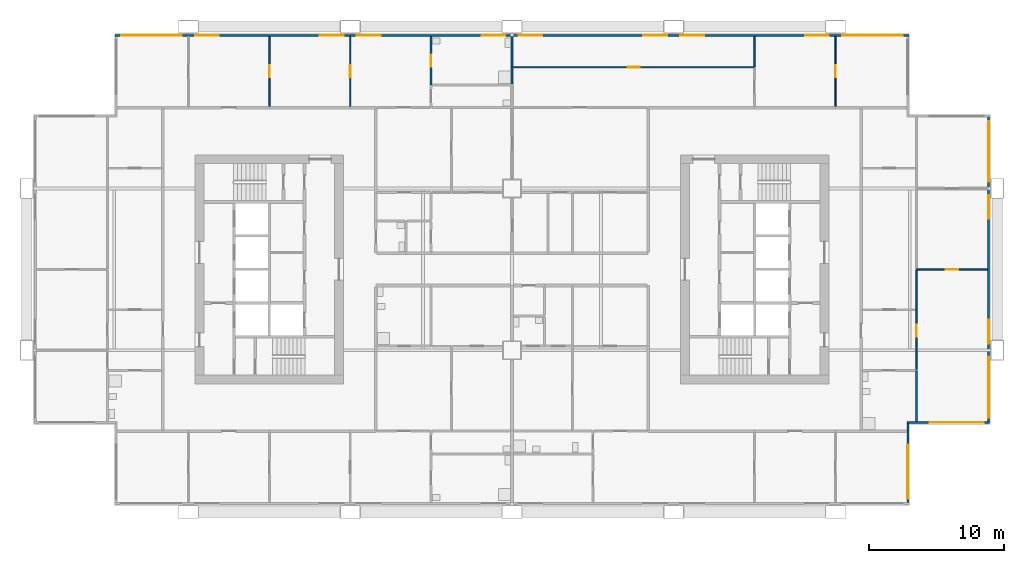
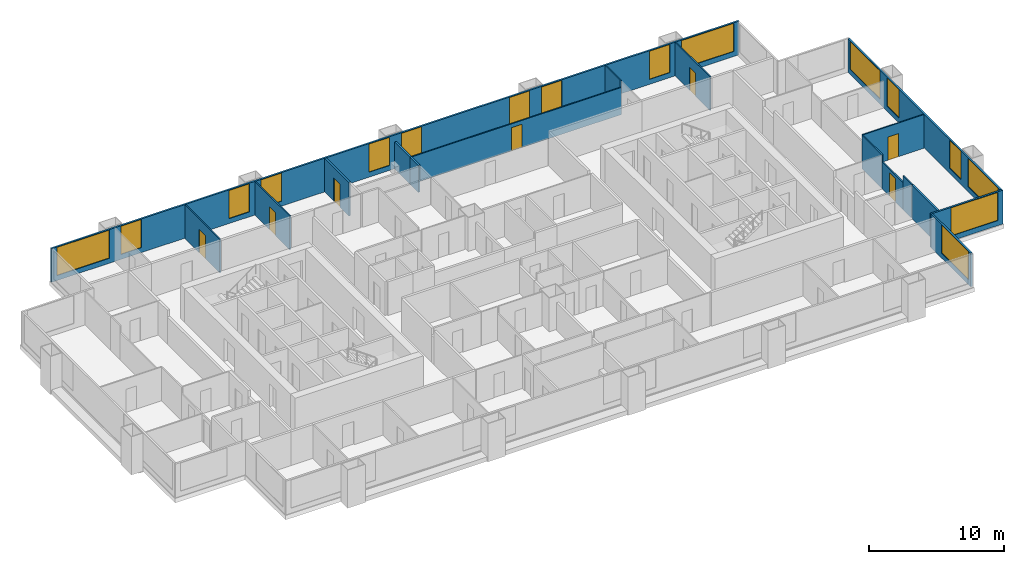
# One storey, part 8 of 11: 17 walls, 16 windows, 7 doors, 23 openings.
"""IFC4 building model written with IfcOpenShell, lengths in metres."""

from ifc_helpers import new_model, si_unit, direction, frame, frame_2d, origin, place, context, subcontext, project, spatial, rectangle, extrude, material, layer, layer_set, type_object, element, fill, save


model = new_model("IFC4")

# Units and contexts
model_context = context("Model", 3, precision=1e-05, world=origin(), true_north=direction((0.0, 1.0)))
body_context = subcontext(model_context, "Body", "Model", "MODEL_VIEW")
ifc_project = project(units=[si_unit("LENGTHUNIT", "METRE"), si_unit("AREAUNIT", "SQUARE_METRE"), si_unit("VOLUMEUNIT", "CUBIC_METRE"), si_unit("PLANEANGLEUNIT", "RADIAN"), si_unit("MASSUNIT", "GRAM", prefix="KILO")], contexts=[model_context])

# Site, building, storey
site_placement = place(None, origin())
site = spatial("IfcSite", under=ifc_project, at=site_placement, CompositionType="ELEMENT")
building_placement = place(site_placement, origin())
building = spatial("IfcBuilding", under=site, at=building_placement, Name="Kitamizu Gate Tower and Museum", CompositionType="ELEMENT")
storey_placement = place(building_placement, frame((0.0, 0.0, 100.050048828125)))
storey = spatial("IfcBuildingStorey", under=building, at=storey_placement, Name="L25", CompositionType="ELEMENT", Elevation=100.050048828125)

# Wall, opening, door
ifc_material_1 = material(Name="Gypsum board on galvanised stud")
ifc_layer_1 = layer(ifc_material_1, 0.10009765625)
ifc_layer_set_1 = layer_set([ifc_layer_1], Name="Gypsum board on galvanised stud")
wall_type_1 = type_object("IfcWallType", Name="Partition 100 NOT RATED", PredefinedType="PARTITIONING", material=ifc_layer_set_1)
wall_1_placement = place(storey_placement, frame((71.280029296875, 30.0, 0.0), z_axis=(0.0, 0.0, 1.0), x_axis=(-1.0, 0.0, 0.0)))
wall_1 = element("IfcWall", 1, at=wall_1_placement, inside=storey, type_object=wall_type_1, Name="Partition L25-074", PredefinedType="PARTITIONING", context=body_context, shape_type="SweptSolid", body=[
    extrude(rectangle(XDim=5.280029296875, YDim=0.10009765625, at=frame_2d((2.64013671875, 0.0))), origin(), (0.0, 0.0, 1.0), 3.050048828125),
])
opening_1_placement = place(wall_1_placement, frame((2.18994140625, 0.0, 0.0)))
opening_1 = element("IfcOpeningElement", 2, at=opening_1_placement, cuts=wall_1, Name="Opening L25-032", PredefinedType="OPENING", context=body_context, shape_type="SweptSolid", body=[
    extrude(rectangle(XDim=0.89990234375, YDim=2.10009765625, at=frame_2d((0.449951171875, 1.050048828125))), frame((0.0, 0.06005859375, 0.0), z_axis=(0.0, -1.0, 0.0), x_axis=(1.0, 0.0, 0.0)), (0.0, 0.0, 1.0), 0.1201171875),
])
ifc_material_2 = material(Name="Timber door set", Category="wood")
door_type_1 = type_object("IfcDoorType", Name="Room door 900", OperationType="NOTDEFINED", PredefinedType="DOOR", material=ifc_material_2)
door_1_placement = place(opening_1_placement, frame((0.89990234375, 0.0, 0.0), x_axis=(-1.0, 0.0, 0.0)))
door_1 = element("IfcDoor", 3, at=door_1_placement, inside=storey, type_object=door_type_1, Name="Door L25-032", OperationType="SINGLE_SWING_LEFT", OverallHeight=2.10009765625, OverallWidth=0.89990234375, PredefinedType="DOOR", context=body_context, shape_type="SweptSolid", body=[
    extrude(rectangle(XDim=0.89990234375, YDim=2.10009765625, at=frame_2d((0.449951171875, 1.050048828125))), frame((0.0, 0.02490234375, 0.0), z_axis=(0.0, -1.0, 0.0), x_axis=(1.0, 0.0, 0.0)), (0.0, 0.0, 1.0), 0.050048828125),
])
fill(opening_1, door_1)

wall_2_placement = place(storey_placement, frame((66.0, 27.0, 0.0), z_axis=(0.0, 0.0, 1.0), x_axis=(0.0, -1.0, 0.0)))
wall_2 = element("IfcWall", 4, at=wall_2_placement, inside=storey, type_object=wall_type_1, Name="Partition L25-076", PredefinedType="PARTITIONING", context=body_context, shape_type="SweptSolid", body=[
    extrude(rectangle(XDim=3.10009765625, YDim=0.10009765625, at=frame_2d((1.550048828125, 0.0))), origin(), (0.0, 0.0, 1.0), 2.449951171875),
])
opening_2_placement = place(wall_2_placement, frame((1.10009765625, 0.0, 0.0)))
opening_2 = element("IfcOpeningElement", 5, at=opening_2_placement, cuts=wall_2, Name="Opening L25-030", PredefinedType="OPENING", context=body_context, shape_type="SweptSolid", body=[
    extrude(rectangle(XDim=0.89990234375, YDim=2.10009765625, at=frame_2d((0.449951171875, 1.050048828125))), frame((0.0, 0.06005859375, 0.0), z_axis=(0.0, -1.0, 0.0), x_axis=(1.0, 0.0, 0.0)), (0.0, 0.0, 1.0), 0.1201171875),
])
door_2_placement = place(opening_2_placement, origin())
door_2 = element("IfcDoor", 6, at=door_2_placement, inside=storey, type_object=door_type_1, Name="Door L25-030", OperationType="SINGLE_SWING_RIGHT", OverallHeight=2.10009765625, OverallWidth=0.89990234375, PredefinedType="DOOR", context=body_context, shape_type="SweptSolid", body=[
    extrude(rectangle(XDim=0.89990234375, YDim=2.10009765625, at=frame_2d((0.449951171875, 1.050048828125))), frame((0.0, 0.02490234375, 0.0), z_axis=(0.0, -1.0, 0.0), x_axis=(1.0, 0.0, 0.0)), (0.0, 0.0, 1.0), 0.050048828125),
])
fill(opening_2, door_2)

# Walls
wall_3_placement = place(storey_placement, frame((66.0, 23.89990234375, 0.0), z_axis=(0.0, 0.0, 1.0), x_axis=(0.0, -1.0, 0.0)))
element("IfcWall", 7, at=wall_3_placement, inside=storey, type_object=wall_type_1, Name="Partition L25-077", PredefinedType="PARTITIONING", context=body_context, shape_type="SweptSolid", body=[
    extrude(rectangle(XDim=1.324951171875, YDim=0.10009765625, at=frame_2d((0.66259765625, 0.0))), origin(), (0.0, 0.0, 1.0), 3.050048828125),
])
wall_4_placement = place(storey_placement, frame((66.0, 29.949951171875, 0.0), z_axis=(0.0, 0.0, 1.0), x_axis=(0.0, -1.0, 0.0)))
element("IfcWall", 8, at=wall_4_placement, inside=storey, type_object=wall_type_1, Name="Partition L25-078", PredefinedType="PARTITIONING", context=body_context, shape_type="SweptSolid", body=[
    extrude(rectangle(XDim=2.949951171875, YDim=0.10009765625, at=frame_2d((1.47509765625, 0.0))), origin(), (0.0, 0.0, 1.0), 3.050048828125),
])

# Wall, opening, door
wall_5_placement = place(storey_placement, frame((18.0, 42.10009765625, 0.0), z_axis=(0.0, 0.0, 1.0), x_axis=(0.0, 1.0, 0.0)))
wall_5 = element("IfcWall", 9, at=wall_5_placement, inside=storey, type_object=wall_type_1, Name="Partition L25-095", PredefinedType="PARTITIONING", context=body_context, shape_type="SweptSolid", body=[
    extrude(rectangle(XDim=5.179931640625, YDim=0.10009765625, at=frame_2d((2.58984375, 0.0))), origin(), (0.0, 0.0, 1.0), 3.050048828125),
])
opening_3_placement = place(wall_5_placement, frame((2.139892578125, 0.0, 0.0)))
opening_3 = element("IfcOpeningElement", 10, at=opening_3_placement, cuts=wall_5, Name="Opening L25-038", PredefinedType="OPENING", context=body_context, shape_type="SweptSolid", body=[
    extrude(rectangle(XDim=0.89990234375, YDim=2.10009765625, at=frame_2d((0.449951171875, 1.050048828125))), frame((0.0, 0.06005859375, 0.0), z_axis=(0.0, -1.0, 0.0), x_axis=(1.0, 0.0, 0.0)), (0.0, 0.0, 1.0), 0.1201171875),
])
door_3_placement = place(opening_3_placement, frame((0.89990234375, 0.0, 0.0), x_axis=(-1.0, 0.0, 0.0)))
door_3 = element("IfcDoor", 11, at=door_3_placement, inside=storey, type_object=door_type_1, Name="Door L25-038", OperationType="SINGLE_SWING_LEFT", OverallHeight=2.10009765625, OverallWidth=0.89990234375, PredefinedType="DOOR", context=body_context, shape_type="SweptSolid", body=[
    extrude(rectangle(XDim=0.89990234375, YDim=2.10009765625, at=frame_2d((0.449951171875, 1.050048828125))), frame((0.0, 0.02490234375, 0.0), z_axis=(0.0, -1.0, 0.0), x_axis=(1.0, 0.0, 0.0)), (0.0, 0.0, 1.0), 0.050048828125),
])
fill(opening_3, door_3)

wall_6_placement = place(storey_placement, frame((24.0, 42.10009765625, 0.0), z_axis=(0.0, 0.0, 1.0), x_axis=(0.0, 1.0, 0.0)))
wall_6 = element("IfcWall", 12, at=wall_6_placement, inside=storey, type_object=wall_type_1, Name="Partition L25-097", PredefinedType="PARTITIONING", context=body_context, shape_type="SweptSolid", body=[
    extrude(rectangle(XDim=5.179931640625, YDim=0.10009765625, at=frame_2d((2.58984375, 0.0))), origin(), (0.0, 0.0, 1.0), 3.050048828125),
])
opening_4_placement = place(wall_6_placement, frame((2.139892578125, 0.0, 0.0)))
opening_4 = element("IfcOpeningElement", 13, at=opening_4_placement, cuts=wall_6, Name="Opening L25-039", PredefinedType="OPENING", context=body_context, shape_type="SweptSolid", body=[
    extrude(rectangle(XDim=0.89990234375, YDim=2.10009765625, at=frame_2d((0.449951171875, 1.050048828125))), frame((0.0, 0.06005859375, 0.0), z_axis=(0.0, -1.0, 0.0), x_axis=(1.0, 0.0, 0.0)), (0.0, 0.0, 1.0), 0.1201171875),
])
door_4_placement = place(opening_4_placement, origin())
door_4 = element("IfcDoor", 14, at=door_4_placement, inside=storey, type_object=door_type_1, Name="Door L25-039", OperationType="SINGLE_SWING_LEFT", OverallHeight=2.10009765625, OverallWidth=0.89990234375, PredefinedType="DOOR", context=body_context, shape_type="SweptSolid", body=[
    extrude(rectangle(XDim=0.89990234375, YDim=2.10009765625, at=frame_2d((0.449951171875, 1.050048828125))), frame((0.0, 0.02490234375, 0.0), z_axis=(0.0, -1.0, 0.0), x_axis=(1.0, 0.0, 0.0)), (0.0, 0.0, 1.0), 0.050048828125),
])
fill(opening_4, door_4)

wall_7_placement = place(storey_placement, frame((54.0, 45.0, 0.0), z_axis=(0.0, 0.0, 1.0), x_axis=(-1.0, 0.0, 0.0)))
wall_7 = element("IfcWall", 15, at=wall_7_placement, inside=storey, type_object=wall_type_1, Name="Partition L25-109", PredefinedType="PARTITIONING", context=body_context, shape_type="SweptSolid", body=[
    extrude(rectangle(XDim=17.925048828125, YDim=0.10009765625, at=frame_2d((8.96240234375, 0.0))), origin(), (0.0, 0.0, 1.0), 2.449951171875),
])
opening_5_placement = place(wall_7_placement, frame((8.512451171875, 0.0, 0.0)))
opening_5 = element("IfcOpeningElement", 16, at=opening_5_placement, cuts=wall_7, Name="Opening L25-051", PredefinedType="OPENING", context=body_context, shape_type="SweptSolid", body=[
    extrude(rectangle(XDim=0.89990234375, YDim=2.10009765625, at=frame_2d((0.449951171875, 1.050048828125))), frame((0.0, 0.06005859375, 0.0), z_axis=(0.0, -1.0, 0.0), x_axis=(1.0, 0.0, 0.0)), (0.0, 0.0, 1.0), 0.1201171875),
])
door_5_placement = place(opening_5_placement, frame((0.89990234375, 0.0, 0.0), x_axis=(-1.0, 0.0, 0.0)))
door_5 = element("IfcDoor", 17, at=door_5_placement, inside=storey, type_object=door_type_1, Name="Door L25-051", OperationType="SINGLE_SWING_LEFT", OverallHeight=2.10009765625, OverallWidth=0.89990234375, PredefinedType="DOOR", context=body_context, shape_type="SweptSolid", body=[
    extrude(rectangle(XDim=0.89990234375, YDim=2.10009765625, at=frame_2d((0.449951171875, 1.050048828125))), frame((0.0, 0.02490234375, 0.0), z_axis=(0.0, -1.0, 0.0), x_axis=(1.0, 0.0, 0.0)), (0.0, 0.0, 1.0), 0.050048828125),
])
fill(opening_5, door_5)

# Wall
wall_8_placement = place(storey_placement, frame((54.0, 45.050048828125, 0.0), z_axis=(0.0, 0.0, 1.0), x_axis=(0.0, 1.0, 0.0)))
element("IfcWall", 18, at=wall_8_placement, inside=storey, type_object=wall_type_1, Name="Partition L25-113", PredefinedType="PARTITIONING", context=body_context, shape_type="SweptSolid", body=[
    extrude(rectangle(XDim=2.22998046875, YDim=0.10009765625, at=frame_2d((1.114990234375, 0.0))), origin(), (0.0, 0.0, 1.0), 3.050048828125),
])

# Wall, opening, door
wall_9_placement = place(storey_placement, frame((60.0, 42.10009765625, 0.0), z_axis=(0.0, 0.0, 1.0), x_axis=(0.0, 1.0, 0.0)))
wall_9 = element("IfcWall", 19, at=wall_9_placement, inside=storey, type_object=wall_type_1, Name="Partition L25-114", PredefinedType="PARTITIONING", context=body_context, shape_type="SweptSolid", body=[
    extrude(rectangle(XDim=5.179931640625, YDim=0.10009765625, at=frame_2d((2.58984375, 0.0))), origin(), (0.0, 0.0, 1.0), 3.050048828125),
])
opening_6_placement = place(wall_9_placement, frame((2.139892578125, 0.0, 0.0)))
opening_6 = element("IfcOpeningElement", 20, at=opening_6_placement, cuts=wall_9, Name="Opening L25-053", PredefinedType="OPENING", context=body_context, shape_type="SweptSolid", body=[
    extrude(rectangle(XDim=0.89990234375, YDim=2.10009765625, at=frame_2d((0.449951171875, 1.050048828125))), frame((0.0, 0.06005859375, 0.0), z_axis=(0.0, -1.0, 0.0), x_axis=(1.0, 0.0, 0.0)), (0.0, 0.0, 1.0), 0.1201171875),
])
door_6_placement = place(opening_6_placement, frame((0.89990234375, 0.0, 0.0), x_axis=(-1.0, 0.0, 0.0)))
door_6 = element("IfcDoor", 21, at=door_6_placement, inside=storey, type_object=door_type_1, Name="Door L25-053", OperationType="SINGLE_SWING_RIGHT", OverallHeight=2.10009765625, OverallWidth=0.89990234375, PredefinedType="DOOR", context=body_context, shape_type="SweptSolid", body=[
    extrude(rectangle(XDim=0.89990234375, YDim=2.10009765625, at=frame_2d((0.449951171875, 1.050048828125))), frame((0.0, 0.02490234375, 0.0), z_axis=(0.0, -1.0, 0.0), x_axis=(1.0, 0.0, 0.0)), (0.0, 0.0, 1.0), 0.050048828125),
])
fill(opening_6, door_6)

# Wall
ifc_material_3 = material(Name="Gypsum board on galvanised stud")
ifc_layer_2 = layer(ifc_material_3, 0.14990234375)
ifc_layer_set_2 = layer_set([ifc_layer_2], Name="Gypsum board on galvanised stud")
wall_type_2 = type_object("IfcWallType", Name="Partition 150", PredefinedType="PARTITIONING", material=ifc_layer_set_2)
wall_10_placement = place(storey_placement, frame((66.0, 22.5, 0.0), z_axis=(0.0, 0.0, 1.0), x_axis=(0.0, -1.0, 0.0)))
element("IfcWall", 22, at=wall_10_placement, inside=storey, type_object=wall_type_2, Name="Partition L25-075", PredefinedType="PARTITIONING", context=body_context, shape_type="SweptSolid", body=[
    extrude(rectangle(XDim=3.780029296875, YDim=0.14990234375, at=frame_2d((1.89013671875, 0.0))), origin(), (0.0, 0.0, 1.0), 3.050048828125),
])

# Wall, opening, door
wall_11_placement = place(storey_placement, frame((30.0, 43.679931640625, 0.0), z_axis=(0.0, 0.0, 1.0), x_axis=(0.0, 1.0, 0.0)))
wall_11 = element("IfcWall", 23, at=wall_11_placement, inside=storey, type_object=wall_type_2, Name="Partition L25-099", PredefinedType="PARTITIONING", context=body_context, shape_type="SweptSolid", body=[
    extrude(rectangle(XDim=3.60009765625, YDim=0.14990234375, at=frame_2d((1.800048828125, 0.0))), origin(), (0.0, 0.0, 1.0), 3.050048828125),
])
opening_7_placement = place(wall_11_placement, frame((1.35009765625, 0.0, 0.0)))
opening_7 = element("IfcOpeningElement", 24, at=opening_7_placement, cuts=wall_11, Name="Opening L25-040", PredefinedType="OPENING", context=body_context, shape_type="SweptSolid", body=[
    extrude(rectangle(XDim=0.89990234375, YDim=2.10009765625, at=frame_2d((0.449951171875, 1.050048828125))), frame((0.0, 0.0849609375, 0.0), z_axis=(0.0, -1.0, 0.0), x_axis=(1.0, 0.0, 0.0)), (0.0, 0.0, 1.0), 0.169921875),
])
ifc_material_4 = material(Name="Timber door set", Category="wood")
door_type_2 = type_object("IfcDoorType", Name="Bathroom door 900", OperationType="NOTDEFINED", PredefinedType="DOOR", material=ifc_material_4)
door_7_placement = place(opening_7_placement, frame((0.89990234375, 0.0, 0.0), x_axis=(-1.0, 0.0, 0.0)))
door_7 = element("IfcDoor", 25, at=door_7_placement, inside=storey, type_object=door_type_2, Name="Bathroom door L25-040", OperationType="SINGLE_SWING_LEFT", OverallHeight=2.10009765625, OverallWidth=0.89990234375, PredefinedType="DOOR", context=body_context, shape_type="SweptSolid", body=[
    extrude(rectangle(XDim=0.89990234375, YDim=2.10009765625, at=frame_2d((0.449951171875, 1.050048828125))), frame((0.0, 0.02490234375, 0.0), z_axis=(0.0, -1.0, 0.0), x_axis=(1.0, 0.0, 0.0)), (0.0, 0.0, 1.0), 0.050048828125),
])
fill(opening_7, door_7)

# Walls
wall_12_placement = place(storey_placement, frame((36.0, 43.7548828125, 0.0), z_axis=(0.0, 0.0, 1.0), x_axis=(0.0, 1.0, 0.0)))
element("IfcWall", 26, at=wall_12_placement, inside=storey, type_object=wall_type_2, Name="Partition L25-104", PredefinedType="PARTITIONING", context=body_context, shape_type="SweptSolid", body=[
    extrude(rectangle(XDim=1.2451171875, YDim=0.14990234375, at=frame_2d((0.62255859375, 0.0))), origin(), (0.0, 0.0, 1.0), 2.449951171875),
])
wall_13_placement = place(storey_placement, frame((36.0, 45.0, 0.0), z_axis=(0.0, 0.0, 1.0), x_axis=(0.0, 1.0, 0.0)))
element("IfcWall", 27, at=wall_13_placement, inside=storey, type_object=wall_type_2, Name="Partition L25-105", PredefinedType="PARTITIONING", context=body_context, shape_type="SweptSolid", body=[
    extrude(rectangle(XDim=2.280029296875, YDim=0.14990234375, at=frame_2d((1.14013671875, 0.0))), origin(), (0.0, 0.0, 1.0), 2.449951171875),
])

# Wall, opening, window
ifc_material_5 = material(Name="Bronze anodised aluminium frame with insulated spandrel and tinted glass", Category="aluminium")
ifc_layer_3 = layer(ifc_material_5, 0.14990234375)
ifc_layer_set_3 = layer_set([ifc_layer_3], Name="Bronze anodised aluminium frame with insulated spandrel and tinted glass")
wall_type_3 = type_object("IfcWallType", Name="WINDOW WALL 150 BRONZE FRAME EI 30", PredefinedType="ELEMENTEDWALL", material=ifc_layer_set_3)
wall_14_placement = place(storey_placement, frame((65.364990234375, 12.7099609375, 0.0), z_axis=(0.0, 0.0, 1.0), x_axis=(0.0, 1.0, 0.0)))
wall_14 = element("IfcWall", 28, at=wall_14_placement, inside=storey, type_object=wall_type_3, Name="Window wall east L25", PredefinedType="ELEMENTEDWALL", context=body_context, shape_type="SweptSolid", body=[
    extrude(rectangle(XDim=5.85009765625, YDim=0.14990234375, at=frame_2d((2.925048828125, 0.0))), origin(), (0.0, 0.0, 1.0), 3.050048828125),
])
opening_8_placement = place(wall_14_placement, frame((0.2900390625, 0.0, 0.449951171875)))
opening_8 = element("IfcOpeningElement", 29, at=opening_8_placement, cuts=wall_14, Name="Opening W16", PredefinedType="OPENING", context=body_context, shape_type="SweptSolid", body=[
    extrude(rectangle(XDim=4.0, YDim=2.550048828125, at=frame_2d((2.0, 1.27490234375))), frame((0.0, 0.0849609375, 0.0), z_axis=(0.0, -1.0, 0.0), x_axis=(1.0, 0.0, 0.0)), (0.0, 0.0, 1.0), 0.169921875),
])
ifc_material_6 = material(Name="Bronze anodised aluminium frame, tinted triple glazing", Category="aluminium")
window_type_1 = type_object("IfcWindowType", Name="WINDOW 4000 x 2550 SILL 450", PartitioningType="SINGLE_PANEL", PredefinedType="WINDOW", material=ifc_material_6)
window_1_placement = place(opening_8_placement, origin())
window_1 = element("IfcWindow", 30, at=window_1_placement, inside=storey, type_object=window_type_1, Name="Window W16 L25", OverallHeight=2.550048828125, OverallWidth=4.0, PartitioningType="SINGLE_PANEL", PredefinedType="WINDOW", context=body_context, shape_type="SweptSolid", body=[
    extrude(rectangle(XDim=4.0, YDim=2.550048828125, at=frame_2d((2.0, 1.27490234375))), frame((0.0, 0.030029296875, 0.0), z_axis=(0.0, -1.0, 0.0), x_axis=(1.0, 0.0, 0.0)), (0.0, 0.0, 1.0), 0.06005859375),
])
fill(opening_8, window_1)

wall_15_placement = place(storey_placement, frame((65.2900390625, 18.635009765625, 0.0), z_axis=(0.0, 0.0, 1.0), x_axis=(1.0, 0.0, 0.0)))
wall_15 = element("IfcWall", 31, at=wall_15_placement, inside=storey, type_object=wall_type_3, Name="Window wall south L25", PredefinedType="ELEMENTEDWALL", context=body_context, shape_type="SweptSolid", body=[
    extrude(rectangle(XDim=6.14990234375, YDim=0.14990234375, at=frame_2d((3.074951171875, 0.0))), origin(), (0.0, 0.0, 1.0), 3.050048828125),
])
opening_9_placement = place(wall_15_placement, frame((1.7099609375, 0.0, 0.449951171875)))
opening_9 = element("IfcOpeningElement", 32, at=opening_9_placement, cuts=wall_15, Name="Opening W16", PredefinedType="OPENING", context=body_context, shape_type="SweptSolid", body=[
    extrude(rectangle(XDim=4.0, YDim=2.550048828125, at=frame_2d((2.0, 1.27490234375))), frame((0.0, 0.0849609375, 0.0), z_axis=(0.0, -1.0, 0.0), x_axis=(1.0, 0.0, 0.0)), (0.0, 0.0, 1.0), 0.169921875),
])
window_2_placement = place(opening_9_placement, origin())
window_2 = element("IfcWindow", 33, at=window_2_placement, inside=storey, type_object=window_type_1, Name="Window W16 L25", OverallHeight=2.550048828125, OverallWidth=4.0, PartitioningType="SINGLE_PANEL", PredefinedType="WINDOW", context=body_context, shape_type="SweptSolid", body=[
    extrude(rectangle(XDim=4.0, YDim=2.550048828125, at=frame_2d((2.0, 1.27490234375))), frame((0.0, 0.030029296875, 0.0), z_axis=(0.0, -1.0, 0.0), x_axis=(1.0, 0.0, 0.0)), (0.0, 0.0, 1.0), 0.06005859375),
])
fill(opening_9, window_2)

# Wall, openings, windows
wall_16_placement = place(storey_placement, frame((71.364990234375, 18.7099609375, 0.0), z_axis=(0.0, 0.0, 1.0), x_axis=(0.0, 1.0, 0.0)))
wall_16 = element("IfcWall", 34, at=wall_16_placement, inside=storey, type_object=wall_type_3, Name="Window wall east L25", PredefinedType="ELEMENTEDWALL", context=body_context, shape_type="SweptSolid", body=[
    extrude(rectangle(XDim=22.580078125, YDim=0.14990234375, at=frame_2d((11.2900390625, 0.0))), origin(), (0.0, 0.0, 1.0), 3.050048828125),
])
opening_10_placement = place(wall_16_placement, frame((0.2900390625, 0.0, 0.449951171875)))
opening_10 = element("IfcOpeningElement", 35, at=opening_10_placement, cuts=wall_16, Name="Opening W15", PredefinedType="OPENING", context=body_context, shape_type="SweptSolid", body=[
    extrude(rectangle(XDim=4.5, YDim=2.550048828125, at=frame_2d((2.25, 1.27490234375))), frame((0.0, 0.0849609375, 0.0), z_axis=(0.0, -1.0, 0.0), x_axis=(1.0, 0.0, 0.0)), (0.0, 0.0, 1.0), 0.169921875),
])
opening_11_placement = place(wall_16_placement, frame((5.7900390625, 0.0, 0.449951171875)))
opening_11 = element("IfcOpeningElement", 36, at=opening_11_placement, cuts=wall_16, Name="Opening W29", PredefinedType="OPENING", context=body_context, shape_type="SweptSolid", body=[
    extrude(rectangle(XDim=1.75, YDim=2.550048828125, at=frame_2d((0.875, 1.27490234375))), frame((0.0, 0.0849609375, 0.0), z_axis=(0.0, -1.0, 0.0), x_axis=(1.0, 0.0, 0.0)), (0.0, 0.0, 1.0), 0.169921875),
])
opening_12_placement = place(wall_16_placement, frame((15.0400390625, 0.0, 0.449951171875)))
opening_12 = element("IfcOpeningElement", 37, at=opening_12_placement, cuts=wall_16, Name="Opening W29", PredefinedType="OPENING", context=body_context, shape_type="SweptSolid", body=[
    extrude(rectangle(XDim=1.75, YDim=2.550048828125, at=frame_2d((0.875, 1.27490234375))), frame((0.0, 0.0849609375, 0.0), z_axis=(0.0, -1.0, 0.0), x_axis=(1.0, 0.0, 0.0)), (0.0, 0.0, 1.0), 0.169921875),
])
opening_13_placement = place(wall_16_placement, frame((17.7900390625, 0.0, 0.449951171875)))
opening_13 = element("IfcOpeningElement", 38, at=opening_13_placement, cuts=wall_16, Name="Opening W15", PredefinedType="OPENING", context=body_context, shape_type="SweptSolid", body=[
    extrude(rectangle(XDim=4.5, YDim=2.550048828125, at=frame_2d((2.25, 1.27490234375))), frame((0.0, 0.0849609375, 0.0), z_axis=(0.0, -1.0, 0.0), x_axis=(1.0, 0.0, 0.0)), (0.0, 0.0, 1.0), 0.169921875),
])
ifc_material_7 = material(Name="Bronze anodised aluminium frame, tinted triple glazing", Category="aluminium")
window_type_2 = type_object("IfcWindowType", Name="WINDOW 1750 x 2550 SILL 450", PartitioningType="SINGLE_PANEL", PredefinedType="WINDOW", material=ifc_material_7)
window_3_placement = place(opening_11_placement, origin())
window_3 = element("IfcWindow", 39, at=window_3_placement, inside=storey, type_object=window_type_2, Name="Window W29 L25", OverallHeight=2.550048828125, OverallWidth=1.75, PartitioningType="SINGLE_PANEL", PredefinedType="WINDOW", context=body_context, shape_type="SweptSolid", body=[
    extrude(rectangle(XDim=1.75, YDim=2.550048828125, at=frame_2d((0.875, 1.27490234375))), frame((0.0, 0.030029296875, 0.0), z_axis=(0.0, -1.0, 0.0), x_axis=(1.0, 0.0, 0.0)), (0.0, 0.0, 1.0), 0.06005859375),
])
fill(opening_11, window_3)
window_4_placement = place(opening_12_placement, origin())
window_4 = element("IfcWindow", 40, at=window_4_placement, inside=storey, type_object=window_type_2, Name="Window W29 L25", OverallHeight=2.550048828125, OverallWidth=1.75, PartitioningType="SINGLE_PANEL", PredefinedType="WINDOW", context=body_context, shape_type="SweptSolid", body=[
    extrude(rectangle(XDim=1.75, YDim=2.550048828125, at=frame_2d((0.875, 1.27490234375))), frame((0.0, 0.030029296875, 0.0), z_axis=(0.0, -1.0, 0.0), x_axis=(1.0, 0.0, 0.0)), (0.0, 0.0, 1.0), 0.06005859375),
])
fill(opening_12, window_4)
ifc_material_8 = material(Name="Bronze anodised aluminium frame, tinted triple glazing", Category="aluminium")
window_type_3 = type_object("IfcWindowType", Name="WINDOW 4500 x 2550 SILL 450", PartitioningType="SINGLE_PANEL", PredefinedType="WINDOW", material=ifc_material_8)
window_5_placement = place(opening_10_placement, origin())
window_5 = element("IfcWindow", 41, at=window_5_placement, inside=storey, type_object=window_type_3, Name="Window W15 L25", OverallHeight=2.550048828125, OverallWidth=4.5, PartitioningType="SINGLE_PANEL", PredefinedType="WINDOW", context=body_context, shape_type="SweptSolid", body=[
    extrude(rectangle(XDim=4.5, YDim=2.550048828125, at=frame_2d((2.25, 1.27490234375))), frame((0.0, 0.030029296875, 0.0), z_axis=(0.0, -1.0, 0.0), x_axis=(1.0, 0.0, 0.0)), (0.0, 0.0, 1.0), 0.06005859375),
])
fill(opening_10, window_5)
window_6_placement = place(opening_13_placement, origin())
window_6 = element("IfcWindow", 42, at=window_6_placement, inside=storey, type_object=window_type_3, Name="Window W15 L25", OverallHeight=2.550048828125, OverallWidth=4.5, PartitioningType="SINGLE_PANEL", PredefinedType="WINDOW", context=body_context, shape_type="SweptSolid", body=[
    extrude(rectangle(XDim=4.5, YDim=2.550048828125, at=frame_2d((2.25, 1.27490234375))), frame((0.0, 0.030029296875, 0.0), z_axis=(0.0, -1.0, 0.0), x_axis=(1.0, 0.0, 0.0)), (0.0, 0.0, 1.0), 0.06005859375),
])
fill(opening_13, window_6)

wall_17_placement = place(storey_placement, frame((6.56005859375, 47.364990234375, 0.0), z_axis=(0.0, 0.0, 1.0), x_axis=(1.0, 0.0, 0.0)))
wall_17 = element("IfcWall", 43, at=wall_17_placement, inside=storey, type_object=wall_type_3, Name="Window wall north L25", PredefinedType="ELEMENTEDWALL", context=body_context, shape_type="SweptSolid", body=[
    extrude(rectangle(XDim=58.8798828125, YDim=0.14990234375, at=frame_2d((29.43994140625, 0.0))), origin(), (0.0, 0.0, 1.0), 3.050048828125),
])
opening_14_placement = place(wall_17_placement, frame((0.43994140625, 0.0, 0.449951171875)))
opening_14 = element("IfcOpeningElement", 44, at=opening_14_placement, cuts=wall_17, Name="Opening W15", PredefinedType="OPENING", context=body_context, shape_type="SweptSolid", body=[
    extrude(rectangle(XDim=4.5, YDim=2.550048828125, at=frame_2d((2.25, 1.27490234375))), frame((0.0, 0.0849609375, 0.0), z_axis=(0.0, -1.0, 0.0), x_axis=(1.0, 0.0, 0.0)), (0.0, 0.0, 1.0), 0.169921875),
])
opening_15_placement = place(wall_17_placement, frame((5.93994140625, 0.0, 0.449951171875)))
opening_15 = element("IfcOpeningElement", 45, at=opening_15_placement, cuts=wall_17, Name="Opening W29", PredefinedType="OPENING", context=body_context, shape_type="SweptSolid", body=[
    extrude(rectangle(XDim=1.75, YDim=2.550048828125, at=frame_2d((0.875, 1.27490234375))), frame((0.0, 0.0849609375, 0.0), z_axis=(0.0, -1.0, 0.0), x_axis=(1.0, 0.0, 0.0)), (0.0, 0.0, 1.0), 0.169921875),
])
opening_16_placement = place(wall_17_placement, frame((15.18994140625, 0.0, 0.449951171875)))
opening_16 = element("IfcOpeningElement", 46, at=opening_16_placement, cuts=wall_17, Name="Opening W29", PredefinedType="OPENING", context=body_context, shape_type="SweptSolid", body=[
    extrude(rectangle(XDim=1.75, YDim=2.550048828125, at=frame_2d((0.875, 1.27490234375))), frame((0.0, 0.0849609375, 0.0), z_axis=(0.0, -1.0, 0.0), x_axis=(1.0, 0.0, 0.0)), (0.0, 0.0, 1.0), 0.169921875),
])
opening_17_placement = place(wall_17_placement, frame((17.93994140625, 0.0, 0.449951171875)))
opening_17 = element("IfcOpeningElement", 47, at=opening_17_placement, cuts=wall_17, Name="Opening W29", PredefinedType="OPENING", context=body_context, shape_type="SweptSolid", body=[
    extrude(rectangle(XDim=1.75, YDim=2.550048828125, at=frame_2d((0.875, 1.27490234375))), frame((0.0, 0.0849609375, 0.0), z_axis=(0.0, -1.0, 0.0), x_axis=(1.0, 0.0, 0.0)), (0.0, 0.0, 1.0), 0.169921875),
])
opening_18_placement = place(wall_17_placement, frame((27.18994140625, 0.0, 0.449951171875)))
opening_18 = element("IfcOpeningElement", 48, at=opening_18_placement, cuts=wall_17, Name="Opening W29", PredefinedType="OPENING", context=body_context, shape_type="SweptSolid", body=[
    extrude(rectangle(XDim=1.75, YDim=2.550048828125, at=frame_2d((0.875, 1.27490234375))), frame((0.0, 0.0849609375, 0.0), z_axis=(0.0, -1.0, 0.0), x_axis=(1.0, 0.0, 0.0)), (0.0, 0.0, 1.0), 0.169921875),
])
opening_19_placement = place(wall_17_placement, frame((29.93994140625, 0.0, 0.449951171875)))
opening_19 = element("IfcOpeningElement", 49, at=opening_19_placement, cuts=wall_17, Name="Opening W29", PredefinedType="OPENING", context=body_context, shape_type="SweptSolid", body=[
    extrude(rectangle(XDim=1.75, YDim=2.550048828125, at=frame_2d((0.875, 1.27490234375))), frame((0.0, 0.0849609375, 0.0), z_axis=(0.0, -1.0, 0.0), x_axis=(1.0, 0.0, 0.0)), (0.0, 0.0, 1.0), 0.169921875),
])
opening_20_placement = place(wall_17_placement, frame((39.18994140625, 0.0, 0.449951171875)))
opening_20 = element("IfcOpeningElement", 50, at=opening_20_placement, cuts=wall_17, Name="Opening W29", PredefinedType="OPENING", context=body_context, shape_type="SweptSolid", body=[
    extrude(rectangle(XDim=1.75, YDim=2.550048828125, at=frame_2d((0.875, 1.27490234375))), frame((0.0, 0.0849609375, 0.0), z_axis=(0.0, -1.0, 0.0), x_axis=(1.0, 0.0, 0.0)), (0.0, 0.0, 1.0), 0.169921875),
])
opening_21_placement = place(wall_17_placement, frame((41.93994140625, 0.0, 0.449951171875)))
opening_21 = element("IfcOpeningElement", 51, at=opening_21_placement, cuts=wall_17, Name="Opening W29", PredefinedType="OPENING", context=body_context, shape_type="SweptSolid", body=[
    extrude(rectangle(XDim=1.75, YDim=2.550048828125, at=frame_2d((0.875, 1.27490234375))), frame((0.0, 0.0849609375, 0.0), z_axis=(0.0, -1.0, 0.0), x_axis=(1.0, 0.0, 0.0)), (0.0, 0.0, 1.0), 0.169921875),
])
opening_22_placement = place(wall_17_placement, frame((51.18994140625, 0.0, 0.449951171875)))
opening_22 = element("IfcOpeningElement", 52, at=opening_22_placement, cuts=wall_17, Name="Opening W29", PredefinedType="OPENING", context=body_context, shape_type="SweptSolid", body=[
    extrude(rectangle(XDim=1.75, YDim=2.550048828125, at=frame_2d((0.875, 1.27490234375))), frame((0.0, 0.0849609375, 0.0), z_axis=(0.0, -1.0, 0.0), x_axis=(1.0, 0.0, 0.0)), (0.0, 0.0, 1.0), 0.169921875),
])
opening_23_placement = place(wall_17_placement, frame((53.93994140625, 0.0, 0.449951171875)))
opening_23 = element("IfcOpeningElement", 53, at=opening_23_placement, cuts=wall_17, Name="Opening W15", PredefinedType="OPENING", context=body_context, shape_type="SweptSolid", body=[
    extrude(rectangle(XDim=4.5, YDim=2.550048828125, at=frame_2d((2.25, 1.27490234375))), frame((0.0, 0.0849609375, 0.0), z_axis=(0.0, -1.0, 0.0), x_axis=(1.0, 0.0, 0.0)), (0.0, 0.0, 1.0), 0.169921875),
])
window_7_placement = place(opening_15_placement, origin())
window_7 = element("IfcWindow", 54, at=window_7_placement, inside=storey, type_object=window_type_2, Name="Window W29 L25", OverallHeight=2.550048828125, OverallWidth=1.75, PartitioningType="SINGLE_PANEL", PredefinedType="WINDOW", context=body_context, shape_type="SweptSolid", body=[
    extrude(rectangle(XDim=1.75, YDim=2.550048828125, at=frame_2d((0.875, 1.27490234375))), frame((0.0, 0.030029296875, 0.0), z_axis=(0.0, -1.0, 0.0), x_axis=(1.0, 0.0, 0.0)), (0.0, 0.0, 1.0), 0.06005859375),
])
fill(opening_15, window_7)
window_8_placement = place(opening_16_placement, origin())
window_8 = element("IfcWindow", 55, at=window_8_placement, inside=storey, type_object=window_type_2, Name="Window W29 L25", OverallHeight=2.550048828125, OverallWidth=1.75, PartitioningType="SINGLE_PANEL", PredefinedType="WINDOW", context=body_context, shape_type="SweptSolid", body=[
    extrude(rectangle(XDim=1.75, YDim=2.550048828125, at=frame_2d((0.875, 1.27490234375))), frame((0.0, 0.030029296875, 0.0), z_axis=(0.0, -1.0, 0.0), x_axis=(1.0, 0.0, 0.0)), (0.0, 0.0, 1.0), 0.06005859375),
])
fill(opening_16, window_8)
window_9_placement = place(opening_17_placement, origin())
window_9 = element("IfcWindow", 56, at=window_9_placement, inside=storey, type_object=window_type_2, Name="Window W29 L25", OverallHeight=2.550048828125, OverallWidth=1.75, PartitioningType="SINGLE_PANEL", PredefinedType="WINDOW", context=body_context, shape_type="SweptSolid", body=[
    extrude(rectangle(XDim=1.75, YDim=2.550048828125, at=frame_2d((0.875, 1.27490234375))), frame((0.0, 0.030029296875, 0.0), z_axis=(0.0, -1.0, 0.0), x_axis=(1.0, 0.0, 0.0)), (0.0, 0.0, 1.0), 0.06005859375),
])
fill(opening_17, window_9)
window_10_placement = place(opening_18_placement, origin())
window_10 = element("IfcWindow", 57, at=window_10_placement, inside=storey, type_object=window_type_2, Name="Window W29 L25", OverallHeight=2.550048828125, OverallWidth=1.75, PartitioningType="SINGLE_PANEL", PredefinedType="WINDOW", context=body_context, shape_type="SweptSolid", body=[
    extrude(rectangle(XDim=1.75, YDim=2.550048828125, at=frame_2d((0.875, 1.27490234375))), frame((0.0, 0.030029296875, 0.0), z_axis=(0.0, -1.0, 0.0), x_axis=(1.0, 0.0, 0.0)), (0.0, 0.0, 1.0), 0.06005859375),
])
fill(opening_18, window_10)
window_11_placement = place(opening_19_placement, origin())
window_11 = element("IfcWindow", 58, at=window_11_placement, inside=storey, type_object=window_type_2, Name="Window W29 L25", OverallHeight=2.550048828125, OverallWidth=1.75, PartitioningType="SINGLE_PANEL", PredefinedType="WINDOW", context=body_context, shape_type="SweptSolid", body=[
    extrude(rectangle(XDim=1.75, YDim=2.550048828125, at=frame_2d((0.875, 1.27490234375))), frame((0.0, 0.030029296875, 0.0), z_axis=(0.0, -1.0, 0.0), x_axis=(1.0, 0.0, 0.0)), (0.0, 0.0, 1.0), 0.06005859375),
])
fill(opening_19, window_11)
window_12_placement = place(opening_20_placement, origin())
window_12 = element("IfcWindow", 59, at=window_12_placement, inside=storey, type_object=window_type_2, Name="Window W29 L25", OverallHeight=2.550048828125, OverallWidth=1.75, PartitioningType="SINGLE_PANEL", PredefinedType="WINDOW", context=body_context, shape_type="SweptSolid", body=[
    extrude(rectangle(XDim=1.75, YDim=2.550048828125, at=frame_2d((0.875, 1.27490234375))), frame((0.0, 0.030029296875, 0.0), z_axis=(0.0, -1.0, 0.0), x_axis=(1.0, 0.0, 0.0)), (0.0, 0.0, 1.0), 0.06005859375),
])
fill(opening_20, window_12)
window_13_placement = place(opening_21_placement, origin())
window_13 = element("IfcWindow", 60, at=window_13_placement, inside=storey, type_object=window_type_2, Name="Window W29 L25", OverallHeight=2.550048828125, OverallWidth=1.75, PartitioningType="SINGLE_PANEL", PredefinedType="WINDOW", context=body_context, shape_type="SweptSolid", body=[
    extrude(rectangle(XDim=1.75, YDim=2.550048828125, at=frame_2d((0.875, 1.27490234375))), frame((0.0, 0.030029296875, 0.0), z_axis=(0.0, -1.0, 0.0), x_axis=(1.0, 0.0, 0.0)), (0.0, 0.0, 1.0), 0.06005859375),
])
fill(opening_21, window_13)
window_14_placement = place(opening_22_placement, origin())
window_14 = element("IfcWindow", 61, at=window_14_placement, inside=storey, type_object=window_type_2, Name="Window W29 L25", OverallHeight=2.550048828125, OverallWidth=1.75, PartitioningType="SINGLE_PANEL", PredefinedType="WINDOW", context=body_context, shape_type="SweptSolid", body=[
    extrude(rectangle(XDim=1.75, YDim=2.550048828125, at=frame_2d((0.875, 1.27490234375))), frame((0.0, 0.030029296875, 0.0), z_axis=(0.0, -1.0, 0.0), x_axis=(1.0, 0.0, 0.0)), (0.0, 0.0, 1.0), 0.06005859375),
])
fill(opening_22, window_14)
window_15_placement = place(opening_14_placement, origin())
window_15 = element("IfcWindow", 62, at=window_15_placement, inside=storey, type_object=window_type_3, Name="Window W15 L25", OverallHeight=2.550048828125, OverallWidth=4.5, PartitioningType="SINGLE_PANEL", PredefinedType="WINDOW", context=body_context, shape_type="SweptSolid", body=[
    extrude(rectangle(XDim=4.5, YDim=2.550048828125, at=frame_2d((2.25, 1.27490234375))), frame((0.0, 0.030029296875, 0.0), z_axis=(0.0, -1.0, 0.0), x_axis=(1.0, 0.0, 0.0)), (0.0, 0.0, 1.0), 0.06005859375),
])
fill(opening_14, window_15)
window_16_placement = place(opening_23_placement, origin())
window_16 = element("IfcWindow", 63, at=window_16_placement, inside=storey, type_object=window_type_3, Name="Window W15 L25", OverallHeight=2.550048828125, OverallWidth=4.5, PartitioningType="SINGLE_PANEL", PredefinedType="WINDOW", context=body_context, shape_type="SweptSolid", body=[
    extrude(rectangle(XDim=4.5, YDim=2.550048828125, at=frame_2d((2.25, 1.27490234375))), frame((0.0, 0.030029296875, 0.0), z_axis=(0.0, -1.0, 0.0), x_axis=(1.0, 0.0, 0.0)), (0.0, 0.0, 1.0), 0.06005859375),
])
fill(opening_23, window_16)

save(model, "model.ifc")
